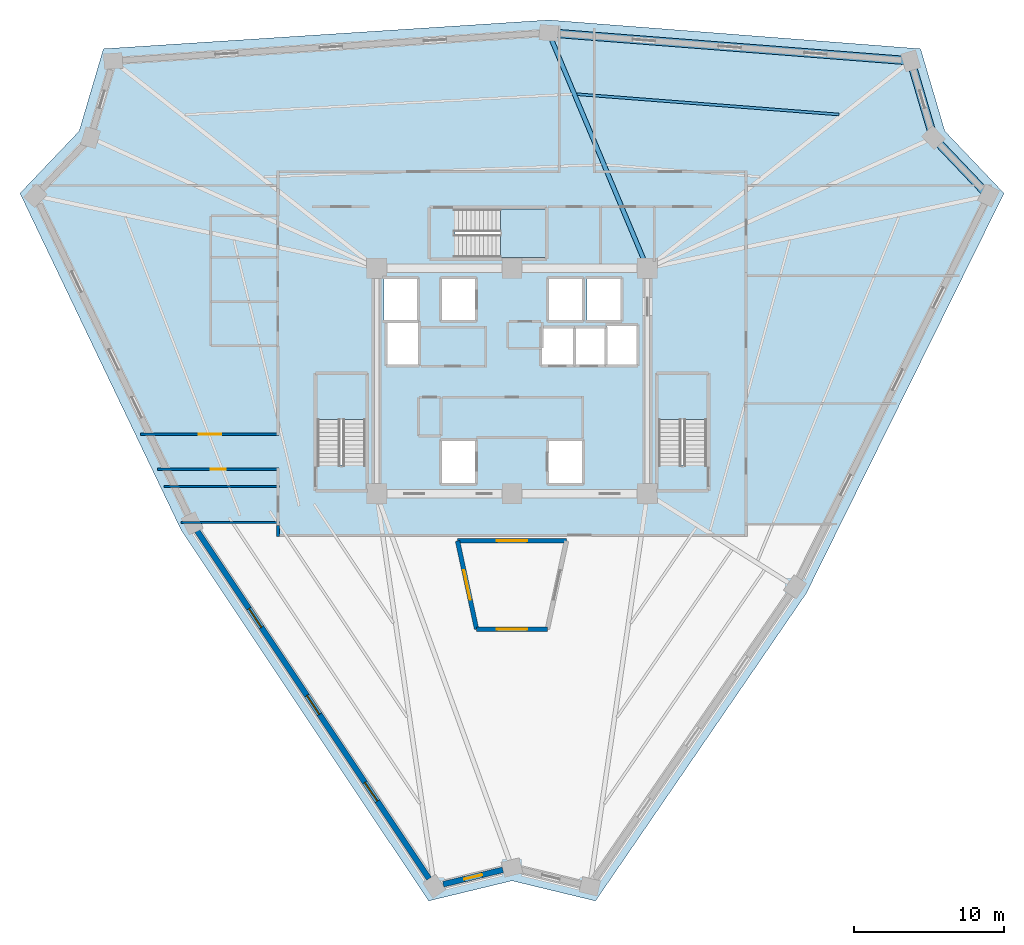
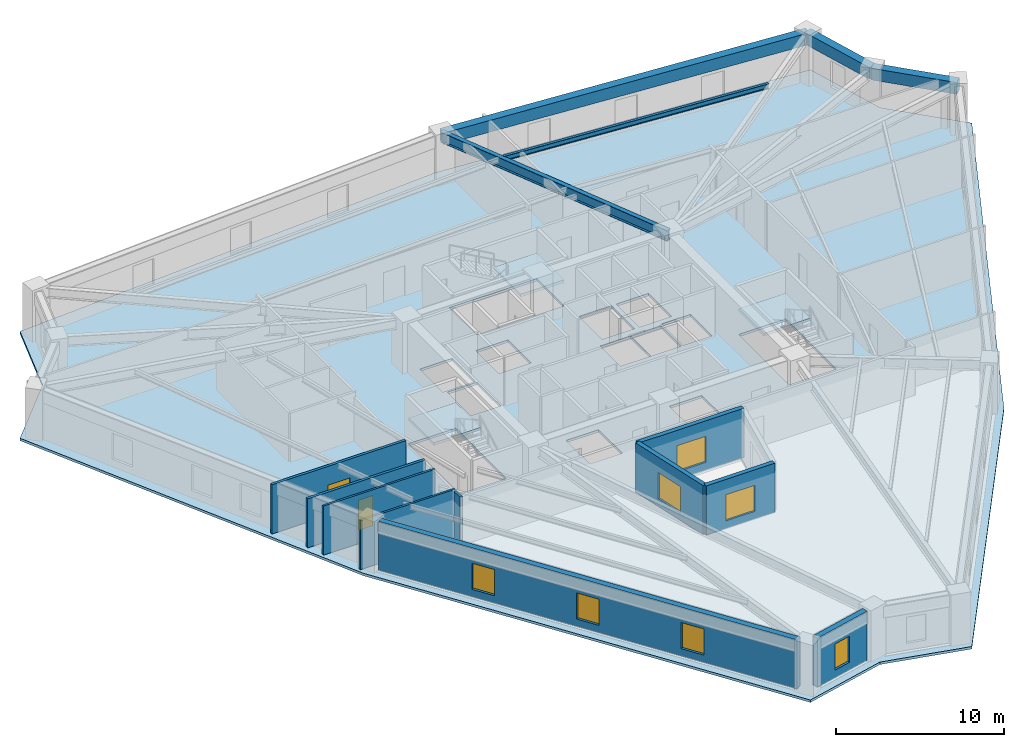
# One storey, part 2 of 9: 10 walls, 7 windows, 5 beams, 4 slabs, 2 doors, 9 openings, 3 elements without a shape of their own.
"""IFC4 building model written with IfcOpenShell, lengths in metres."""

from ifc_helpers import new_model, si_unit, direction, frame, frame_2d, origin, origin_2d, place, context, subcontext, project, spatial, polyline, rectangle, i_section, outline, extrude, source, transform, mapped, material, layer, layer_set, material_profile, profile_set, type_object, element, fill, aggregate, save


model = new_model("IFC4")

# Units and contexts
model_context = context("Model", 3, precision=1e-05, world=origin(), true_north=direction((0.0, 1.0)))
body_context = subcontext(model_context, "Body", "Model", "MODEL_VIEW")
ifc_project = project(units=[si_unit("LENGTHUNIT", "METRE"), si_unit("AREAUNIT", "SQUARE_METRE"), si_unit("VOLUMEUNIT", "CUBIC_METRE"), si_unit("PLANEANGLEUNIT", "RADIAN"), si_unit("MASSUNIT", "GRAM", prefix="KILO")], contexts=[model_context])

# Site, building, storey
site_placement = place(None, origin())
site = spatial("IfcSite", under=ifc_project, at=site_placement, CompositionType="ELEMENT")
building_placement = place(site_placement, origin())
building = spatial("IfcBuilding", under=site, at=building_placement, Name="Liaohun Quay Tower", CompositionType="ELEMENT")
storey_placement = place(building_placement, frame((0.0, 0.0, 258.75)))
storey = spatial("IfcBuildingStorey", under=building, at=storey_placement, Name="L67", CompositionType="ELEMENT", Elevation=258.75)

# Beams
ifc_material_1 = material(Name="Steel Q355D", Category="steel")
ifc_material_profile_1 = material_profile(ifc_material_1, i_section(OverallWidth=0.300048828125, OverallDepth=0.75, WebThickness=0.013916015625, FlangeThickness=0.02587890625, at=origin_2d()), Name="HN750x300x14x26")
ifc_profile_set_1 = profile_set([ifc_material_profile_1], Name="Steel Q355D")
beam_type_1 = type_object("IfcBeamType", Name="BM-RAD-M2", PredefinedType="BEAM", material=ifc_profile_set_1)
shared_shape_1 = source(origin(), body_context, "Body", "SweptSolid", [
    extrude(i_section(OverallWidth=0.300048828125, OverallDepth=0.75, WebThickness=0.013916015625, FlangeThickness=0.02587890625, at=origin_2d()), origin(), (0.0, 0.0, 1.0), 16.9677734375),
])
beam_1_placement = place(storey_placement, frame((69.0, 61.5, 3.195068359375), z_axis=(-0.386676150441, 0.922215568444, 0.0), x_axis=(-0.922215568444, -0.386676150441, 0.0)))
element("IfcBeam", 1, at=beam_1_placement, inside=storey, type_object=beam_type_1, Name="L67 Radial Primary Girder CC4-PC06", PredefinedType="BEAM", context=body_context, shape_type="MappedRepresentation", body=[
    mapped(shared_shape_1, transform((0.0, 0.0, 0.0), x_axis=(1.0, 0.0, 0.0), y_axis=(0.0, 1.0, 0.0), z_axis=(0.0, 0.0, 1.0), scale=1.0)),
])
ifc_material_profile_2 = material_profile(ifc_material_1, i_section(OverallWidth=0.175048828125, OverallDepth=0.35009765625, WebThickness=0.007080078125, FlangeThickness=0.010986328125, at=origin_2d()), Name="HN350x175x7x11")
ifc_profile_set_2 = profile_set([ifc_material_profile_2], Name="Steel Q355D")
beam_type_2 = type_object("IfcBeamType", Name="BM-SEC-J3", PredefinedType="JOIST", material=ifc_profile_set_2)
shared_shape_2 = source(origin(), body_context, "Body", "SweptSolid", [
    extrude(i_section(OverallWidth=0.175048828125, OverallDepth=0.35009765625, WebThickness=0.007080078125, FlangeThickness=0.010986328125, at=origin_2d()), origin(), (0.0, 0.0, 1.0), 17.476318359375),
])
beam_2_placement = place(storey_placement, frame((64.31298828125, 73.06689453125, 3.39501953125), z_axis=(0.997012592682, -0.07723917422, 0.0), x_axis=(0.07723917422, 0.997012592682, 0.0)))
element("IfcBeam", 2, at=beam_2_placement, inside=storey, type_object=beam_type_2, Name="L67 Wing Secondary Floor Joist SJ-09", PredefinedType="JOIST", context=body_context, shape_type="MappedRepresentation", body=[
    mapped(shared_shape_2, transform((0.0, 0.0, 0.0), x_axis=(1.0, 0.0, 0.0), y_axis=(0.0, 1.0, 0.0), z_axis=(0.0, 0.0, 1.0), scale=1.0)),
])
ifc_material_2 = material(Name="Precast concrete C50", Category="concrete")
ifc_material_profile_3 = material_profile(ifc_material_2, rectangle(XDim=0.550048828125, YDim=0.85009765625, at=origin_2d()), Name="RC550x850")
ifc_profile_set_3 = profile_set([ifc_material_profile_3], Name="Precast concrete C50")
beam_type_3 = type_object("IfcBeamType", Name="BM-SPD-Z3", PredefinedType="SPANDREL", material=ifc_profile_set_3)
shared_shape_3 = source(origin(), body_context, "Body", "SweptSolid", [
    extrude(rectangle(XDim=0.550048828125, YDim=0.85009765625, at=origin_2d()), origin(), (0.0, 0.0, 1.0), 24.14404296875),
])
beam_3_placement = place(storey_placement, frame((62.43896484375, 77.14794921875, 3.14501953125), z_axis=(0.997015336738, -0.077203745433, 0.0), x_axis=(0.077203745433, 0.997015336738, 0.0)))
element("IfcBeam", 3, at=beam_3_placement, inside=storey, type_object=beam_type_3, Name="L67 Precast Spandrel Beam PC06-PC07", PredefinedType="SPANDREL", context=body_context, shape_type="MappedRepresentation", body=[
    mapped(shared_shape_3, transform((0.0, 0.0, 0.0), x_axis=(1.0, 0.0, 0.0), y_axis=(0.0, 1.0, 0.0), z_axis=(0.0, 0.0, 1.0), scale=1.0)),
])
shared_shape_4 = source(origin(), body_context, "Body", "SweptSolid", [
    extrude(rectangle(XDim=0.550048828125, YDim=0.85009765625, at=origin_2d()), origin(), (0.0, 0.0, 1.0), 5.325439453125),
])
beam_4_placement = place(storey_placement, frame((86.510986328125, 75.283935546875, 3.14501953125), z_axis=(0.282819041765, -0.959173284456, 0.0), x_axis=(0.959173284456, 0.282819041765, 0.0)))
element("IfcBeam", 4, at=beam_4_placement, inside=storey, type_object=beam_type_3, Name="L67 Precast Spandrel Beam PC07-PC08", PredefinedType="SPANDREL", context=body_context, shape_type="MappedRepresentation", body=[
    mapped(shared_shape_4, transform((0.0, 0.0, 0.0), x_axis=(1.0, 0.0, 0.0), y_axis=(0.0, 1.0, 0.0), z_axis=(0.0, 0.0, 1.0), scale=1.0)),
])
shared_shape_5 = source(origin(), body_context, "Body", "SweptSolid", [
    extrude(rectangle(XDim=0.550048828125, YDim=0.85009765625, at=origin_2d()), origin(), (0.0, 0.0, 1.0), 5.318359375),
])
beam_5_placement = place(storey_placement, frame((88.01708984375, 70.176025390625, 3.14501953125), z_axis=(0.689306630842, -0.7244697155, 0.0), x_axis=(0.7244697155, 0.689306630842, 0.0)))
element("IfcBeam", 5, at=beam_5_placement, inside=storey, type_object=beam_type_3, Name="L67 Precast Spandrel Beam PC08-PC09", PredefinedType="SPANDREL", context=body_context, shape_type="MappedRepresentation", body=[
    mapped(shared_shape_5, transform((0.0, 0.0, 0.0), x_axis=(1.0, 0.0, 0.0), y_axis=(0.0, 1.0, 0.0), z_axis=(0.0, 0.0, 1.0), scale=1.0)),
])

# Stair, slab
ifc_material_3 = material(Name="Concrete C45", Category="concrete")
stair_type = type_object("IfcStairType", Name="STR-CORE-OFF", PredefinedType="HALF_TURN_STAIR", material=ifc_material_3)
stair_1_placement = place(storey_placement, origin())
stair_1 = element("IfcStair", 6, at=stair_1_placement, inside=storey, type_object=stair_type, Name="L67 Smokeproof Core Exit Stair ST-1", PredefinedType="HALF_TURN_STAIR")
ifc_layer_1 = layer(ifc_material_3, 0.199951171875, Name="Concrete C45", Category="concrete")
ifc_layer_set_1 = layer_set([ifc_layer_1], Name="Concrete C45")
slab_type_1 = type_object("IfcSlabType", Name="SLB-LND-200", PredefinedType="LANDING", material=ifc_layer_set_1)
slab_1_placement = place(storey_placement, frame((0.0, 0.0, 1.675048828125)))
slab_1 = element("IfcSlab", 7, at=slab_1_placement, type_object=slab_type_1, Name="ST-1 landing 1", PredefinedType="LANDING", context=body_context, shape_type="SweptSolid", body=[
    extrude(outline(polyline([(50.280029296875, 51.429931640625), (50.280029296875, 54.419921875), (47.0400390625, 54.419921875), (47.0400390625, 51.429931640625), (50.280029296875, 51.429931640625)])), origin(), (0.0, 0.0, 1.0), 0.199951171875),
])
aggregate(stair_1, [slab_1])

stair_2_placement = place(storey_placement, origin())
stair_2 = element("IfcStair", 8, at=stair_2_placement, inside=storey, type_object=stair_type, Name="L67 Smokeproof Core Exit Stair ST-2", PredefinedType="HALF_TURN_STAIR")
slab_2_placement = place(storey_placement, frame((0.0, 0.0, 1.675048828125)))
slab_2 = element("IfcSlab", 9, at=slab_2_placement, type_object=slab_type_1, Name="ST-2 landing 1", PredefinedType="LANDING", context=body_context, shape_type="SweptSolid", body=[
    extrude(outline(polyline([(72.9599609375, 51.429931640625), (72.9599609375, 54.419921875), (69.719970703125, 54.419921875), (69.719970703125, 51.429931640625), (72.9599609375, 51.429931640625)])), origin(), (0.0, 0.0, 1.0), 0.199951171875),
])
aggregate(stair_2, [slab_2])

stair_3_placement = place(storey_placement, origin())
stair_3 = element("IfcStair", 10, at=stair_3_placement, inside=storey, type_object=stair_type, Name="L67 Smokeproof Core Exit Stair ST-3", PredefinedType="HALF_TURN_STAIR")
slab_3_placement = place(storey_placement, frame((0.0, 0.0, 1.675048828125)))
slab_3 = element("IfcSlab", 11, at=slab_3_placement, type_object=slab_type_1, Name="ST-3 landing 1", PredefinedType="LANDING", context=body_context, shape_type="SweptSolid", body=[
    extrude(outline(polyline([(59.22998046875, 62.199951171875), (62.219970703125, 62.199951171875), (62.219970703125, 65.43994140625), (59.22998046875, 65.43994140625), (59.22998046875, 62.199951171875)])), origin(), (0.0, 0.0, 1.0), 0.199951171875),
])
aggregate(stair_3, [slab_3])

# Slab
ifc_layer_2 = layer(ifc_material_3, 0.179931640625, Name="Concrete C45", Category="concrete")
ifc_layer_set_2 = layer_set([ifc_layer_2], Name="Concrete C45")
slab_type_2 = type_object("IfcSlabType", Name="SLB-OFF-180", PredefinedType="FLOOR", material=ifc_layer_set_2)
slab_4_placement = place(storey_placement, frame((0.0, 0.0, -0.179931640625)))
element("IfcSlab", 12, at=slab_4_placement, inside=storey, type_object=slab_type_2, Name="L67 Structural Floor Slab", PredefinedType="FLOOR", context=body_context, shape_type="SweptSolid", body=[
    extrude(outline(polyline([(54.452880859375, 19.43505859375), (60.0, 20.77490234375), (65.547119140625, 19.43505859375), (79.56298828125, 39.883056640625), (92.7080078125, 66.47900390625), (88.77392578125, 70.613037109375), (87.160888671875, 76.0859375), (62.444091796875, 78.0), (32.839111328125, 76.0859375), (31.22607421875, 70.613037109375), (27.2919921875, 66.47900390625), (37.992919921875, 44.116943359375), (54.452880859375, 19.43505859375)]), holes=[polyline([(63.409912109375, 43.199951171875), (56.590087890625, 43.199951171875), (57.782958984375, 37.677978515625), (62.217041015625, 37.677978515625), (63.409912109375, 43.199951171875)]), polyline([(57.56005859375, 47.2099609375), (57.56005859375, 50.030029296875), (55.340087890625, 50.030029296875), (55.340087890625, 47.2099609375), (57.56005859375, 47.2099609375)]), polyline([(50.280029296875, 54.419921875), (47.0400390625, 54.419921875), (47.0400390625, 48.409912109375), (50.280029296875, 48.409912109375), (50.280029296875, 54.419921875)]), polyline([(53.760009765625, 55.090087890625), (53.760009765625, 57.909912109375), (51.7099609375, 57.909912109375), (51.7099609375, 55.090087890625), (53.760009765625, 55.090087890625)]), polyline([(53.7099609375, 58.0400390625), (53.7099609375, 60.7900390625), (51.489990234375, 60.7900390625), (51.489990234375, 58.0400390625), (53.7099609375, 58.0400390625)]), polyline([(57.56005859375, 58.0400390625), (57.56005859375, 60.7900390625), (55.340087890625, 60.7900390625), (55.340087890625, 58.0400390625), (57.56005859375, 58.0400390625)]), polyline([(62.219970703125, 62.199951171875), (62.219970703125, 65.43994140625), (56.2099609375, 65.43994140625), (56.2099609375, 62.199951171875), (62.219970703125, 62.199951171875)]), polyline([(64.659912109375, 50.030029296875), (62.43994140625, 50.030029296875), (62.43994140625, 47.2099609375), (64.659912109375, 47.2099609375), (64.659912109375, 50.030029296875)]), polyline([(72.9599609375, 54.419921875), (69.719970703125, 54.419921875), (69.719970703125, 48.409912109375), (72.9599609375, 48.409912109375), (72.9599609375, 54.419921875)]), polyline([(64.06005859375, 55.090087890625), (64.06005859375, 57.510009765625), (61.989990234375, 57.510009765625), (61.989990234375, 55.090087890625), (64.06005859375, 55.090087890625)]), polyline([(66.159912109375, 55.090087890625), (66.159912109375, 57.510009765625), (64.090087890625, 57.510009765625), (64.090087890625, 55.090087890625), (66.159912109375, 55.090087890625)]), polyline([(68.2900390625, 55.090087890625), (68.2900390625, 57.659912109375), (66.2900390625, 57.659912109375), (66.2900390625, 55.090087890625), (68.2900390625, 55.090087890625)]), polyline([(64.659912109375, 58.0400390625), (64.659912109375, 60.7900390625), (62.43994140625, 60.7900390625), (62.43994140625, 58.0400390625), (64.659912109375, 58.0400390625)]), polyline([(67.2099609375, 58.0400390625), (67.2099609375, 60.7900390625), (64.989990234375, 60.7900390625), (64.989990234375, 58.0400390625), (67.2099609375, 58.0400390625)])]), origin(), (0.0, 0.0, 1.0), 0.179931640625),
])

# Wall, opening, window
ifc_material_4 = material(Name="Concrete C50", Category="concrete")
ifc_layer_3 = layer(ifc_material_4, 0.300048828125, Name="Concrete C50", Category="concrete")
ifc_layer_set_3 = layer_set([ifc_layer_3], Name="Concrete C50")
wall_type_1 = type_object("IfcWallType", Name="WAL-ATR-300", PredefinedType="SOLIDWALL", material=ifc_layer_set_3)
wall_1_placement = place(storey_placement, frame((57.64599609375, 37.508056640625, 0.0), z_axis=(0.0, 0.0, 1.0), x_axis=(-0.211271830319, 0.977427344468, 0.0)))
wall_1 = element("IfcWall", 13, at=wall_1_placement, inside=storey, type_object=wall_type_1, Name="L67 Atrium Fire Compartment Wall 1", PredefinedType="SOLIDWALL", context=body_context, shape_type="SweptSolid", body=[
    extrude(rectangle(XDim=5.99755859375, YDim=0.300048828125, at=frame_2d((2.998779296875, 0.0))), origin(), (0.0, 0.0, 1.0), 3.570068359375),
])
shared_shape_6 = source(origin(), body_context, "Body", "SweptSolid", [
    extrude(rectangle(XDim=2.0, YDim=1.89990234375, at=frame_2d((1.0, 0.949951171875))), frame((0.0, 0.159912109375, 0.0), z_axis=(0.0, -1.0, 0.0), x_axis=(1.0, 0.0, 0.0)), (0.0, 0.0, 1.0), 0.320068359375),
])
opening_1_placement = place(wall_1_placement, frame((1.9990234375, 0.0, 0.550048828125)))
opening_1 = element("IfcOpeningElement", 14, at=opening_1_placement, cuts=wall_1, Name="Opening W07", PredefinedType="OPENING", context=body_context, shape_type="MappedRepresentation", body=[
    mapped(shared_shape_6, transform((0.0, 0.0, 0.0), x_axis=(1.0, 0.0, 0.0), y_axis=(0.0, 1.0, 0.0), z_axis=(0.0, 0.0, 1.0), scale=1.0)),
])
ifc_material_5 = material(Name="Class A 180-min fire-resistant insulated glazing", Category="glass")
window_type_1 = type_object("IfcWindowType", Name="WIN-ATR-FIR", PartitioningType="DOUBLE_PANEL_VERTICAL", PredefinedType="WINDOW", material=ifc_material_5)
shared_shape_7 = source(origin(), body_context, "Body", "SweptSolid", [
    extrude(rectangle(XDim=2.0, YDim=1.89990234375, at=frame_2d((1.0, 0.949951171875))), frame((0.0, 0.030029296875, 0.0), z_axis=(0.0, -1.0, 0.0), x_axis=(1.0, 0.0, 0.0)), (0.0, 0.0, 1.0), 0.06005859375),
])
window_1_placement = place(opening_1_placement, origin())
window_1 = element("IfcWindow", 15, at=window_1_placement, inside=storey, type_object=window_type_1, Name="L67 Atrium Fire-Resistant Glazing W07-1", OverallHeight=1.89990234375, OverallWidth=2.0, PartitioningType="DOUBLE_PANEL_VERTICAL", PredefinedType="WINDOW", context=body_context, shape_type="MappedRepresentation", body=[
    mapped(shared_shape_7, transform((0.0, 0.0, 0.0), x_axis=(1.0, 0.0, 0.0), y_axis=(0.0, 1.0, 0.0), z_axis=(0.0, 0.0, 1.0), scale=1.0)),
])
fill(opening_1, window_1)

wall_2_placement = place(storey_placement, frame((56.37890625, 43.3701171875, 0.0), z_axis=(0.0, 0.0, 1.0), x_axis=(1.0, 0.0, 0.0)))
wall_2 = element("IfcWall", 16, at=wall_2_placement, inside=storey, type_object=wall_type_1, Name="L67 Atrium Fire Compartment Wall 2", PredefinedType="SOLIDWALL", context=body_context, shape_type="SweptSolid", body=[
    extrude(rectangle(XDim=7.2421875, YDim=0.300048828125, at=frame_2d((3.62109375, 0.0))), origin(), (0.0, 0.0, 1.0), 3.570068359375),
])
opening_2_placement = place(wall_2_placement, frame((2.62109375, 0.0, 0.550048828125)))
opening_2 = element("IfcOpeningElement", 17, at=opening_2_placement, cuts=wall_2, Name="Opening W07", PredefinedType="OPENING", context=body_context, shape_type="MappedRepresentation", body=[
    mapped(shared_shape_6, transform((0.0, 0.0, 0.0), x_axis=(1.0, 0.0, 0.0), y_axis=(0.0, 1.0, 0.0), z_axis=(0.0, 0.0, 1.0), scale=1.0)),
])
window_2_placement = place(opening_2_placement, origin())
window_2 = element("IfcWindow", 18, at=window_2_placement, inside=storey, type_object=window_type_1, Name="L67 Atrium Fire-Resistant Glazing W07-2", OverallHeight=1.89990234375, OverallWidth=2.0, PartitioningType="DOUBLE_PANEL_VERTICAL", PredefinedType="WINDOW", context=body_context, shape_type="MappedRepresentation", body=[
    mapped(shared_shape_7, transform((0.0, 0.0, 0.0), x_axis=(1.0, 0.0, 0.0), y_axis=(0.0, 1.0, 0.0), z_axis=(0.0, 0.0, 1.0), scale=1.0)),
])
fill(opening_2, window_2)

wall_3_placement = place(storey_placement, frame((62.35400390625, 37.508056640625, 0.0), z_axis=(0.0, 0.0, 1.0), x_axis=(-1.0, 0.0, 0.0)))
wall_3 = element("IfcWall", 19, at=wall_3_placement, inside=storey, type_object=wall_type_1, Name="L67 Atrium Fire Compartment Wall 4", PredefinedType="SOLIDWALL", context=body_context, shape_type="SweptSolid", body=[
    extrude(rectangle(XDim=4.7080078125, YDim=0.300048828125, at=frame_2d((2.35400390625, 0.0))), origin(), (0.0, 0.0, 1.0), 3.570068359375),
])
opening_3_placement = place(wall_3_placement, frame((1.35400390625, 0.0, 0.550048828125)))
opening_3 = element("IfcOpeningElement", 20, at=opening_3_placement, cuts=wall_3, Name="Opening W07", PredefinedType="OPENING", context=body_context, shape_type="MappedRepresentation", body=[
    mapped(shared_shape_6, transform((0.0, 0.0, 0.0), x_axis=(1.0, 0.0, 0.0), y_axis=(0.0, 1.0, 0.0), z_axis=(0.0, 0.0, 1.0), scale=1.0)),
])
window_3_placement = place(opening_3_placement, origin())
window_3 = element("IfcWindow", 21, at=window_3_placement, inside=storey, type_object=window_type_1, Name="L67 Atrium Fire-Resistant Glazing W07-4", OverallHeight=1.89990234375, OverallWidth=2.0, PartitioningType="DOUBLE_PANEL_VERTICAL", PredefinedType="WINDOW", context=body_context, shape_type="MappedRepresentation", body=[
    mapped(shared_shape_7, transform((0.0, 0.0, 0.0), x_axis=(1.0, 0.0, 0.0), y_axis=(0.0, 1.0, 0.0), z_axis=(0.0, 0.0, 1.0), scale=1.0)),
])
fill(opening_3, window_3)

# Wall, openings, windows
ifc_material_6 = material(Name="Precast concrete C50 insulated sandwich", Category="concrete")
ifc_layer_4 = layer(ifc_material_6, 0.3798828125, Name="Precast concrete C50 insulated sandwich", Category="concrete")
ifc_layer_set_4 = layer_set([ifc_layer_4], Name="Precast concrete C50 insulated sandwich")
wall_type_2 = type_object("IfcWallType", Name="WAL-EXT-Z34", PredefinedType="SOLIDWALL", material=ifc_layer_set_4)
wall_4_placement = place(storey_placement, frame((39.074951171875, 44.02587890625, 0.0), z_axis=(0.0, 0.0, 1.0), x_axis=(0.554862422202, -0.83194212084, 0.0)))
wall_4 = element("IfcWall", 22, at=wall_4_placement, inside=storey, type_object=wall_type_2, Name="L67 Brutalist Precast Pier Wall 11", PredefinedType="SOLIDWALL", context=body_context, shape_type="SweptSolid", body=[
    extrude(rectangle(XDim=27.78173828125, YDim=0.3798828125, at=frame_2d((13.890869140625, 0.0))), origin(), (0.0, 0.0, 1.0), 3.570068359375),
])
shared_shape_8 = source(origin(), body_context, "Body", "SweptSolid", [
    extrude(rectangle(XDim=1.5, YDim=1.89990234375, at=frame_2d((0.75, 0.949951171875))), frame((0.0, 0.199951171875, 0.0), z_axis=(0.0, -1.0, 0.0), x_axis=(1.0, 0.0, 0.0)), (0.0, 0.0, 1.0), 0.39990234375),
])
opening_4_placement = place(wall_4_placement, frame((6.195068359375, 0.0, 0.550048828125)))
opening_4 = element("IfcOpeningElement", 23, at=opening_4_placement, cuts=wall_4, Name="Opening W03", PredefinedType="OPENING", context=body_context, shape_type="MappedRepresentation", body=[
    mapped(shared_shape_8, transform((0.0, 0.0, 0.0), x_axis=(1.0, 0.0, 0.0), y_axis=(0.0, 1.0, 0.0), z_axis=(0.0, 0.0, 1.0), scale=1.0)),
])
opening_5_placement = place(wall_4_placement, frame((13.14111328125, 0.0, 0.550048828125)))
opening_5 = element("IfcOpeningElement", 24, at=opening_5_placement, cuts=wall_4, Name="Opening W03", PredefinedType="OPENING", context=body_context, shape_type="MappedRepresentation", body=[
    mapped(shared_shape_8, transform((0.0, 0.0, 0.0), x_axis=(1.0, 0.0, 0.0), y_axis=(0.0, 1.0, 0.0), z_axis=(0.0, 0.0, 1.0), scale=1.0)),
])
opening_6_placement = place(wall_4_placement, frame((20.0859375, 0.0, 0.550048828125)))
opening_6 = element("IfcOpeningElement", 25, at=opening_6_placement, cuts=wall_4, Name="Opening W03", PredefinedType="OPENING", context=body_context, shape_type="MappedRepresentation", body=[
    mapped(shared_shape_8, transform((0.0, 0.0, 0.0), x_axis=(1.0, 0.0, 0.0), y_axis=(0.0, 1.0, 0.0), z_axis=(0.0, 0.0, 1.0), scale=1.0)),
])
ifc_material_7 = material(Name="Triple Low-E argon glazing in thermally broken aluminium", Category="aluminium")
window_type_2 = type_object("IfcWindowType", Name="WIN-PUN-Z3", PartitioningType="DOUBLE_PANEL_VERTICAL", PredefinedType="WINDOW", material=ifc_material_7)
shared_shape_9 = source(origin(), body_context, "Body", "SweptSolid", [
    extrude(rectangle(XDim=1.5, YDim=1.89990234375, at=frame_2d((0.75, 0.949951171875))), frame((0.0, 0.030029296875, 0.0), z_axis=(0.0, -1.0, 0.0), x_axis=(1.0, 0.0, 0.0)), (0.0, 0.0, 1.0), 0.06005859375),
])
window_4_placement = place(opening_4_placement, origin())
window_4 = element("IfcWindow", 26, at=window_4_placement, inside=storey, type_object=window_type_2, Name="L67 Recessed Cold-Climate Punched Window 11-1", OverallHeight=1.89990234375, OverallWidth=1.5, PartitioningType="DOUBLE_PANEL_VERTICAL", PredefinedType="WINDOW", context=body_context, shape_type="MappedRepresentation", body=[
    mapped(shared_shape_9, transform((0.0, 0.0, 0.0), x_axis=(1.0, 0.0, 0.0), y_axis=(0.0, 1.0, 0.0), z_axis=(0.0, 0.0, 1.0), scale=1.0)),
])
fill(opening_4, window_4)
window_5_placement = place(opening_5_placement, origin())
window_5 = element("IfcWindow", 27, at=window_5_placement, inside=storey, type_object=window_type_2, Name="L67 Recessed Cold-Climate Punched Window 11-2", OverallHeight=1.89990234375, OverallWidth=1.5, PartitioningType="DOUBLE_PANEL_VERTICAL", PredefinedType="WINDOW", context=body_context, shape_type="MappedRepresentation", body=[
    mapped(shared_shape_9, transform((0.0, 0.0, 0.0), x_axis=(1.0, 0.0, 0.0), y_axis=(0.0, 1.0, 0.0), z_axis=(0.0, 0.0, 1.0), scale=1.0)),
])
fill(opening_5, window_5)
window_6_placement = place(opening_6_placement, origin())
window_6 = element("IfcWindow", 28, at=window_6_placement, inside=storey, type_object=window_type_2, Name="L67 Recessed Cold-Climate Punched Window 11-3", OverallHeight=1.89990234375, OverallWidth=1.5, PartitioningType="DOUBLE_PANEL_VERTICAL", PredefinedType="WINDOW", context=body_context, shape_type="MappedRepresentation", body=[
    mapped(shared_shape_9, transform((0.0, 0.0, 0.0), x_axis=(1.0, 0.0, 0.0), y_axis=(0.0, 1.0, 0.0), z_axis=(0.0, 0.0, 1.0), scale=1.0)),
])
fill(opening_6, window_6)

# Wall, opening, window
wall_5_placement = place(storey_placement, frame((55.428955078125, 20.544921875, 0.0), z_axis=(0.0, 0.0, 1.0), x_axis=(0.972030509307, 0.234854612424, 0.0)))
wall_5 = element("IfcWall", 29, at=wall_5_placement, inside=storey, type_object=wall_type_2, Name="L67 Brutalist Precast Pier Wall 12", PredefinedType="SOLIDWALL", context=body_context, shape_type="SweptSolid", body=[
    extrude(rectangle(XDim=4.08740234375, YDim=0.3798828125, at=frame_2d((2.043701171875, 0.0))), origin(), (0.0, 0.0, 1.0), 3.570068359375),
])
shared_shape_10 = source(origin(), body_context, "Body", "SweptSolid", [
    extrude(rectangle(XDim=1.199951171875, YDim=1.89990234375, at=frame_2d((0.60009765625, 0.949951171875))), frame((0.0, 0.199951171875, 0.0), z_axis=(0.0, -1.0, 0.0), x_axis=(1.0, 0.0, 0.0)), (0.0, 0.0, 1.0), 0.39990234375),
])
opening_7_placement = place(wall_5_placement, frame((1.444091796875, 0.0, 0.550048828125)))
opening_7 = element("IfcOpeningElement", 30, at=opening_7_placement, cuts=wall_5, Name="Opening W05", PredefinedType="OPENING", context=body_context, shape_type="MappedRepresentation", body=[
    mapped(shared_shape_10, transform((0.0, 0.0, 0.0), x_axis=(1.0, 0.0, 0.0), y_axis=(0.0, 1.0, 0.0), z_axis=(0.0, 0.0, 1.0), scale=1.0)),
])
ifc_material_8 = material(Name="Triple Low-E corner notch glazing", Category="glass")
window_type_3 = type_object("IfcWindowType", Name="WIN-NOTCH", PartitioningType="SINGLE_PANEL", PredefinedType="WINDOW", material=ifc_material_8)
shared_shape_11 = source(origin(), body_context, "Body", "SweptSolid", [
    extrude(rectangle(XDim=1.199951171875, YDim=1.89990234375, at=frame_2d((0.60009765625, 0.949951171875))), frame((0.0, 0.030029296875, 0.0), z_axis=(0.0, -1.0, 0.0), x_axis=(1.0, 0.0, 0.0)), (0.0, 0.0, 1.0), 0.06005859375),
])
window_7_placement = place(opening_7_placement, origin())
window_7 = element("IfcWindow", 31, at=window_7_placement, inside=storey, type_object=window_type_3, Name="L67 Corner Notch Window W05-12", OverallHeight=1.89990234375, OverallWidth=1.199951171875, PartitioningType="SINGLE_PANEL", PredefinedType="WINDOW", context=body_context, shape_type="MappedRepresentation", body=[
    mapped(shared_shape_11, transform((0.0, 0.0, 0.0), x_axis=(1.0, 0.0, 0.0), y_axis=(0.0, 1.0, 0.0), z_axis=(0.0, 0.0, 1.0), scale=1.0)),
])
fill(opening_7, window_7)

# Wall, opening, door
ifc_material_9 = material(Name="Autoclaved aerated concrete blockwork", Category="masonry")
ifc_layer_5 = layer(ifc_material_9, 0.179931640625, Name="Autoclaved aerated concrete blockwork", Category="masonry")
ifc_layer_set_5 = layer_set([ifc_layer_5], Name="Autoclaved aerated concrete blockwork")
wall_type_3 = type_object("IfcWallType", Name="WAL-PRT-COR", PredefinedType="PARTITIONING", material=ifc_layer_set_5)
wall_6_placement = place(storey_placement, frame((35.30908203125, 50.4599609375, 0.0), z_axis=(0.0, 0.0, 1.0), x_axis=(1.0, 0.0, 0.0)))
wall_6 = element("IfcWall", 32, at=wall_6_placement, inside=storey, type_object=wall_type_3, Name="L67 Interior Partition Wall 016", PredefinedType="PARTITIONING", context=body_context, shape_type="SweptSolid", body=[
    extrude(rectangle(XDim=9.200927734375, YDim=0.179931640625, at=frame_2d((4.6005859375, 0.0))), origin(), (0.0, 0.0, 1.0), 3.570068359375),
])
shared_shape_12 = source(origin(), body_context, "Body", "SweptSolid", [
    extrude(rectangle(XDim=1.5, YDim=2.199951171875, at=frame_2d((0.75, 1.10009765625))), frame((0.0, 0.099853515625, 0.0), z_axis=(0.0, -1.0, 0.0), x_axis=(1.0, 0.0, 0.0)), (0.0, 0.0, 1.0), 0.199951171875),
])
opening_8_placement = place(wall_6_placement, frame((3.85107421875, 0.0, 0.0)))
opening_8 = element("IfcOpeningElement", 33, at=opening_8_placement, cuts=wall_6, Name="Opening OD2", PredefinedType="OPENING", context=body_context, shape_type="MappedRepresentation", body=[
    mapped(shared_shape_12, transform((0.0, 0.0, 0.0), x_axis=(1.0, 0.0, 0.0), y_axis=(0.0, 1.0, 0.0), z_axis=(0.0, 0.0, 1.0), scale=1.0)),
])
ifc_material_10 = material(Name="Acoustic oak veneer double door")
door_type_1 = type_object("IfcDoorType", Name="DOR-OFF-1500", OperationType="DOUBLE_DOOR_SINGLE_SWING", PredefinedType="DOOR", material=ifc_material_10)
shared_shape_13 = source(origin(), body_context, "Body", "SweptSolid", [
    extrude(rectangle(XDim=1.5, YDim=2.199951171875, at=frame_2d((0.75, 1.10009765625))), frame((0.0, 0.02490234375, 0.0), z_axis=(0.0, -1.0, 0.0), x_axis=(1.0, 0.0, 0.0)), (0.0, 0.0, 1.0), 0.050048828125),
])
door_1_placement = place(opening_8_placement, origin())
door_1 = element("IfcDoor", 34, at=door_1_placement, inside=storey, type_object=door_type_1, Name="L67 Client Collaboration Lounge 05 Door", OperationType="DOUBLE_DOOR_SINGLE_SWING", OverallHeight=2.199951171875, OverallWidth=1.5, PredefinedType="DOOR", context=body_context, shape_type="MappedRepresentation", body=[
    mapped(shared_shape_13, transform((0.0, 0.0, 0.0), x_axis=(1.0, 0.0, 0.0), y_axis=(0.0, 1.0, 0.0), z_axis=(0.0, 0.0, 1.0), scale=1.0)),
])
fill(opening_8, door_1)

wall_7_placement = place(storey_placement, frame((44.510009765625, 48.139892578125, 0.0), z_axis=(0.0, 0.0, 1.0), x_axis=(-1.0, 0.0, 0.0)))
wall_7 = element("IfcWall", 35, at=wall_7_placement, inside=storey, type_object=wall_type_3, Name="L67 Interior Partition Wall 017", PredefinedType="PARTITIONING", context=body_context, shape_type="SweptSolid", body=[
    extrude(rectangle(XDim=8.091064453125, YDim=0.179931640625, at=frame_2d((4.04541015625, 0.0))), origin(), (0.0, 0.0, 1.0), 3.570068359375),
])
shared_shape_14 = source(origin(), body_context, "Body", "SweptSolid", [
    extrude(rectangle(XDim=1.0, YDim=2.199951171875, at=frame_2d((0.5, 1.10009765625))), frame((0.0, 0.099853515625, 0.0), z_axis=(0.0, -1.0, 0.0), x_axis=(1.0, 0.0, 0.0)), (0.0, 0.0, 1.0), 0.199951171875),
])
opening_9_placement = place(wall_7_placement, frame((3.5458984375, 0.0, 0.0)))
opening_9 = element("IfcOpeningElement", 36, at=opening_9_placement, cuts=wall_7, Name="Opening OD1", PredefinedType="OPENING", context=body_context, shape_type="MappedRepresentation", body=[
    mapped(shared_shape_14, transform((0.0, 0.0, 0.0), x_axis=(1.0, 0.0, 0.0), y_axis=(0.0, 1.0, 0.0), z_axis=(0.0, 0.0, 1.0), scale=1.0)),
])
ifc_material_11 = material(Name="Solid-core oak veneer timber leaf in steel frame", Category="steel")
door_type_2 = type_object("IfcDoorType", Name="DOR-OFF-1000", OperationType="NOTDEFINED", PredefinedType="DOOR", material=ifc_material_11)
shared_shape_15 = source(origin(), body_context, "Body", "SweptSolid", [
    extrude(rectangle(XDim=1.0, YDim=2.199951171875, at=frame_2d((0.5, 1.10009765625))), frame((0.0, 0.02490234375, 0.0), z_axis=(0.0, -1.0, 0.0), x_axis=(1.0, 0.0, 0.0)), (0.0, 0.0, 1.0), 0.050048828125),
])
door_2_placement = place(opening_9_placement, origin())
door_2 = element("IfcDoor", 37, at=door_2_placement, inside=storey, type_object=door_type_2, Name="L67 Staff Tea Kitchen and Pantry 06 Door", OperationType="SINGLE_SWING_LEFT", OverallHeight=2.199951171875, OverallWidth=1.0, PredefinedType="DOOR", context=body_context, shape_type="MappedRepresentation", body=[
    mapped(shared_shape_15, transform((0.0, 0.0, 0.0), x_axis=(1.0, 0.0, 0.0), y_axis=(0.0, 1.0, 0.0), z_axis=(0.0, 0.0, 1.0), scale=1.0)),
])
fill(opening_9, door_2)

# Walls
wall_8_placement = place(storey_placement, frame((44.43994140625, 43.669921875, 0.0), z_axis=(0.0, 0.0, 1.0), x_axis=(0.0, 1.0, 0.0)))
element("IfcWall", 38, at=wall_8_placement, inside=storey, type_object=wall_type_3, Name="L67 Interior Partition Wall 041", PredefinedType="PARTITIONING", context=body_context, shape_type="SweptSolid", body=[
    extrude(rectangle(XDim=0.715087890625, YDim=0.179931640625, at=frame_2d((0.357421875, 0.0))), origin(), (0.0, 0.0, 1.0), 3.570068359375),
])
ifc_material_12 = material(Name="Gypsum board on twin steel studs", Category="steel")
ifc_layer_6 = layer(ifc_material_12, 0.139892578125, Name="Gypsum board on twin steel studs", Category="steel")
ifc_layer_set_6 = layer_set([ifc_layer_6], Name="Gypsum board on twin steel studs")
wall_type_4 = type_object("IfcWallType", Name="WAL-PRT-OFF", PredefinedType="PARTITIONING", material=ifc_layer_set_6)
wall_9_placement = place(storey_placement, frame((44.5400390625, 44.60009765625, 0.0), z_axis=(0.0, 0.0, 1.0), x_axis=(-1.0, 0.0, 0.0)))
element("IfcWall", 39, at=wall_9_placement, inside=storey, type_object=wall_type_4, Name="L67 Interior Partition Wall 043", PredefinedType="PARTITIONING", context=body_context, shape_type="SweptSolid", body=[
    extrude(rectangle(XDim=6.533935546875, YDim=0.139892578125, at=frame_2d((3.26708984375, 0.0))), origin(), (0.0, 0.0, 1.0), 3.570068359375),
])
wall_10_placement = place(storey_placement, frame((44.5400390625, 47.0, 0.0), z_axis=(0.0, 0.0, 1.0), x_axis=(-1.0, 0.0, 0.0)))
element("IfcWall", 40, at=wall_10_placement, inside=storey, type_object=wall_type_4, Name="L67 Interior Partition Wall 044", PredefinedType="PARTITIONING", context=body_context, shape_type="SweptSolid", body=[
    extrude(rectangle(XDim=7.68310546875, YDim=0.139892578125, at=frame_2d((3.841552734375, 0.0))), origin(), (0.0, 0.0, 1.0), 3.570068359375),
])

save(model, "model.ifc")
